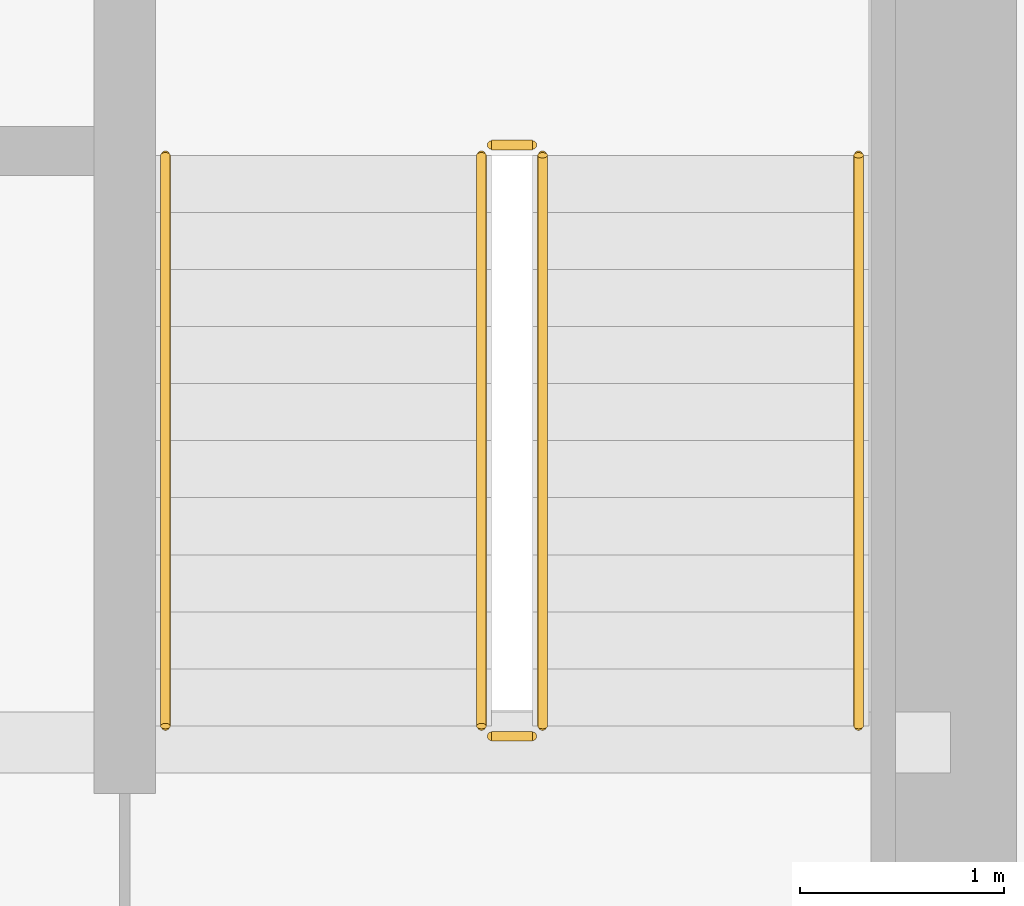
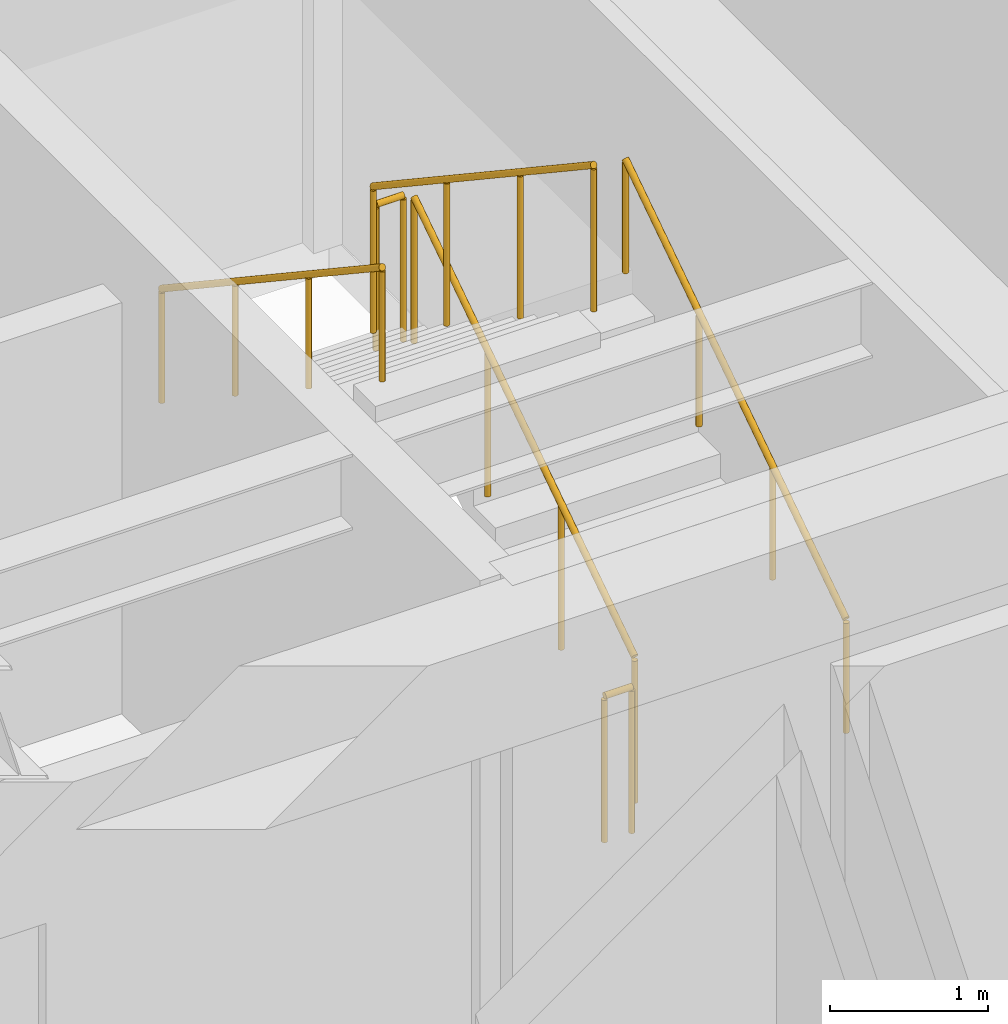
# One storey, part 31 of 31: 6 railings.
"""IFC4 building model written with IfcOpenShell, lengths in metres."""

import ifcopenshell
import ifcopenshell.guid

model = None  # the IFC model being written
_history = None  # IfcOwnerHistory: only IFC2X3 demands one
_inside = {}  # id of a spatial element -> (the spatial element, [elements in it])
_under = {}  # id of a project, library or spatial element -> (it, [spatial elements below it])
_declared = {}  # id of a project -> (the project, [libraries it declares])
_typed = {}  # id of a type object -> (the type object, [elements of that type])
_made_of = {}  # id of a material, layer set ... -> (it, [elements and type objects made of it])


def new_model(schema):
    """Start an empty IFC model of exactly this schema.

    Asked for "IFC4X3", IfcOpenShell would pick the latest addendum, in which some entities
    have other attributes; the version numbers below select the first issue.
    IFC2X3 requires an IfcOwnerHistory on every rooted entity: one is made here for all.
    """
    global model, _history
    if schema == "IFC4X3":
        model = ifcopenshell.file(schema_version=(4, 3, 0, 0))
    else:
        model = ifcopenshell.file(schema=schema)
    _inside.clear()
    _under.clear()
    _declared.clear()
    _typed.clear()
    _made_of.clear()
    _history = None
    if model.schema == "IFC2X3":
        org = make("IfcOrganization", Name="unknown")
        user = make(
            "IfcPersonAndOrganization",
            ThePerson=make("IfcPerson", FamilyName="unknown"),
            TheOrganization=org,
        )
        app = make(
            "IfcApplication",
            ApplicationDeveloper=org,
            Version="unknown",
            ApplicationFullName="unknown",
            ApplicationIdentifier="unknown",
        )
        _history = make(
            "IfcOwnerHistory",
            OwningUser=user,
            OwningApplication=app,
            ChangeAction="ADDED",
            CreationDate=0,
        )
    return model


def make(cls, **values):
    """One entity of the class cls with the attributes given. An attribute that is None is left unset."""
    return model.create_entity(
        cls, **{name: value for name, value in values.items() if value is not None}
    )


def rooted(cls, **values):
    """An entity with a GlobalId (a new one), such as an element, a storey or a relation."""
    return make(cls, GlobalId=ifcopenshell.guid.new(), OwnerHistory=_history, **values)


def si_unit(unit_type, name, prefix=None):
    """IfcSIUnit, for example si_unit("LENGTHUNIT", "METRE", prefix="MILLI")."""
    return make("IfcSIUnit", UnitType=unit_type, Prefix=prefix, Name=name)


def assignment(units):
    """IfcUnitAssignment: the units of a project."""
    return None if units is None else make("IfcUnitAssignment", Units=units)


def point(xyz):
    """IfcCartesianPoint."""
    return None if xyz is None else make("IfcCartesianPoint", Coordinates=xyz)


def direction(xyz):
    """IfcDirection."""
    return None if xyz is None else make("IfcDirection", DirectionRatios=xyz)


def frame(location, z_axis=None, x_axis=None):
    """IfcAxis2Placement3D, a coordinate frame: its origin and axes. An axis left out is left unset."""
    return make(
        "IfcAxis2Placement3D",
        Location=point(location),
        Axis=direction(z_axis),
        RefDirection=direction(x_axis),
    )


def frame_2d(location, x_axis=None):
    """IfcAxis2Placement2D, a coordinate frame in the plane: its origin and x axis."""
    return make(
        "IfcAxis2Placement2D", Location=point(location), RefDirection=direction(x_axis)
    )


def origin():
    """The frame at (0, 0, 0) with its axes left unset."""
    return frame((0.0, 0.0, 0.0))


def origin_2d():
    """The frame at (0, 0) in the plane with its x axis left unset."""
    return frame_2d((0.0, 0.0))


def place(relative_to, where):
    """IfcLocalPlacement: puts the frame where relative to a parent placement (None: the world)."""
    return make(
        "IfcLocalPlacement", PlacementRelTo=relative_to, RelativePlacement=where
    )


def context(
    kind, dimensions, precision=None, world=None, true_north=None, identifier=None
):
    """IfcGeometricRepresentationContext, for example the 3D "Model" context."""
    return make(
        "IfcGeometricRepresentationContext",
        ContextIdentifier=identifier,
        ContextType=kind,
        CoordinateSpaceDimension=dimensions,
        Precision=precision,
        WorldCoordinateSystem=world,
        TrueNorth=true_north,
    )


def subcontext(parent, identifier, kind, view, scale=None):
    """IfcGeometricRepresentationSubContext, for example "Body" below "Model"."""
    return make(
        "IfcGeometricRepresentationSubContext",
        ContextIdentifier=identifier,
        ContextType=kind,
        ParentContext=parent,
        TargetScale=scale,
        TargetView=view,
    )


def project(units=None, contexts=None):
    """IfcProject with its units and contexts."""
    return rooted(
        "IfcProject",
        Name="project",
        RepresentationContexts=contexts,
        UnitsInContext=assignment(units),
    )


def spatial(cls, under=None, at=None, **own):
    """A site, building, storey or space (cls), placed at a placement, below another one or the project."""
    s = rooted(cls, ObjectPlacement=at, **own)
    if under is not None:
        _under.setdefault(under.id(), (under, []))[1].append(s)
    return s


def profile(cls, at=None, kind="AREA", **sizes):
    """A parametric profile (cls). Its sizes go by their IFC names, for example OverallWidth=200.0."""
    return make(cls, ProfileType=kind, Position=at, **sizes)


def circle(**sizes):
    """IfcCircleProfileDef."""
    return profile("IfcCircleProfileDef", **sizes)


def extrude(swept, where, along, depth):
    """IfcExtrudedAreaSolid: the profile swept, set in the frame where, extruded along a direction by depth."""
    return make(
        "IfcExtrudedAreaSolid",
        SweptArea=swept,
        Position=where,
        ExtrudedDirection=direction(along),
        Depth=depth,
    )


def shape(context_of_items, identifier, shape_type, items):
    """IfcShapeRepresentation: the items that make up one representation, for example the "Body"."""
    return make(
        "IfcShapeRepresentation",
        ContextOfItems=context_of_items,
        RepresentationIdentifier=identifier,
        RepresentationType=shape_type,
        Items=items,
    )


def source(mapping_origin, context_of_items, identifier, shape_type, items):
    """IfcRepresentationMap: a shape defined once, which mapped items show again and again."""
    return make(
        "IfcRepresentationMap",
        MappingOrigin=mapping_origin,
        MappedRepresentation=shape(context_of_items, identifier, shape_type, items),
    )


def transform(
    local_origin,
    x_axis=None,
    y_axis=None,
    z_axis=None,
    scale=None,
    scale2=None,
    scale3=None,
    uniform=True,
):
    """IfcCartesianTransformationOperator3D, or its non-uniform kind. x_axis, y_axis, z_axis: its Axis1, 2, 3."""
    if uniform:
        return make(
            "IfcCartesianTransformationOperator3D",
            Axis1=direction(x_axis),
            Axis2=direction(y_axis),
            LocalOrigin=point(local_origin),
            Scale=scale,
            Axis3=direction(z_axis),
        )
    return make(
        "IfcCartesianTransformationOperator3DnonUniform",
        Axis1=direction(x_axis),
        Axis2=direction(y_axis),
        LocalOrigin=point(local_origin),
        Scale=scale,
        Axis3=direction(z_axis),
        Scale2=scale2,
        Scale3=scale3,
    )


def mapped(mapping_source, mapping_target):
    """IfcMappedItem: shows the shape of a source again, moved by a transform."""
    return make(
        "IfcMappedItem", MappingSource=mapping_source, MappingTarget=mapping_target
    )


def material(Name=None, Category=None):
    """IfcMaterial."""
    return make("IfcMaterial", Name=Name, Category=Category)


def made_of(thing, what):
    """Note that an element or type object is made of a material, layer set ...; save() writes the relation."""
    if what is not None:
        _made_of.setdefault(what.id(), (what, []))[1].append(thing)
    return thing


def type_object(cls, material=None, **own):
    """A type object (cls), such as IfcWallType, which elements share."""
    return made_of(rooted(cls, **own), material)


def type_shapes(of_type, sources):
    """Give a type object the sources (RepresentationMaps) that its elements show as mapped items."""
    of_type.RepresentationMaps = sources


def element(
    cls,
    number,
    at=None,
    inside=None,
    cuts=None,
    type_object=None,
    material=None,
    context=None,
    identifier="Body",
    shape_type=None,
    held_by="IfcProductDefinitionShape",
    body=None,
    shapes=None,
    **own,
):
    """One element of the class cls, such as IfcWall. Its Tag is "e" and its number.

    at: its placement. inside: the storey or other place that contains it. cuts: it is an
    opening in that element (IfcRelVoidsElement). A single representation is given by context,
    identifier, shape_type and body (its items); several are given by shapes. held_by: the class
    of the entity that holds the representations. save() writes the other relations.
    """
    e = rooted(cls, Tag="e%d" % number, ObjectPlacement=at, **own)
    if body is not None:
        shapes = [shape(context, identifier, shape_type, body)]
    if shapes is not None:
        e.Representation = make(held_by, Representations=shapes)
    if inside is not None:
        _inside.setdefault(inside.id(), (inside, []))[1].append(e)
    if cuts is not None:
        rooted(
            "IfcRelVoidsElement", RelatingBuildingElement=cuts, RelatedOpeningElement=e
        )
    if type_object is not None:
        _typed.setdefault(type_object.id(), (type_object, []))[1].append(e)
    return made_of(e, material)


def aggregate(whole, parts):
    """IfcRelAggregates: a whole, such as a stair, and the parts it consists of."""
    return rooted("IfcRelAggregates", RelatingObject=whole, RelatedObjects=parts)


def save(model, path):
    """Write the relations noted so far, then the file.

    IfcRelAggregates (storeys below a building ...), IfcRelContainedInSpatialStructure (elements
    in a storey), IfcRelDefinesByType, IfcRelAssociatesMaterial and IfcRelDeclares: one each for
    every whole, place, type object, material and project.
    """
    for whole, parts in _under.values():
        aggregate(whole, parts)
    for where, things in _inside.values():
        rooted(
            "IfcRelContainedInSpatialStructure",
            RelatedElements=things,
            RelatingStructure=where,
        )
    for kind, things in _typed.values():
        rooted("IfcRelDefinesByType", RelatedObjects=things, RelatingType=kind)
    for what, things in _made_of.values():
        rooted("IfcRelAssociatesMaterial", RelatedObjects=things, RelatingMaterial=what)
    for by, libraries in _declared.values():
        rooted("IfcRelDeclares", RelatingContext=by, RelatedDefinitions=libraries)
    model.write(path)


model = new_model("IFC4")

# Units and contexts
model_context = context("Model", 3, precision=1e-05, world=origin(), true_north=direction((0.0, 1.0)))
body_context = subcontext(model_context, "Body", "Model", "MODEL_VIEW")
ifc_project = project(units=[si_unit("LENGTHUNIT", "METRE"), si_unit("AREAUNIT", "SQUARE_METRE"), si_unit("VOLUMEUNIT", "CUBIC_METRE"), si_unit("PLANEANGLEUNIT", "RADIAN"), si_unit("MASSUNIT", "GRAM", prefix="KILO")], contexts=[model_context])

# Site, building, storey
site_placement = place(None, origin())
site = spatial("IfcSite", under=ifc_project, at=site_placement, CompositionType="ELEMENT")
building_placement = place(site_placement, origin())
building = spatial("IfcBuilding", under=site, at=building_placement, Name="Haelvirn Gate Laboratories", CompositionType="ELEMENT")
storey_placement = place(building_placement, frame((0.0, 0.0, 174.800048828125)))
storey = spatial("IfcBuildingStorey", under=building, at=storey_placement, Name="L42", CompositionType="ELEMENT", Elevation=174.800048828125)

# Railings
ifc_material_1 = material(Name="Galvanised steel SM355 & stainless top rail", Category="steel")
railing_type_1 = type_object("IfcRailingType", Name="RL-GUARD-1150", PredefinedType="GUARDRAIL", material=ifc_material_1)
shared_shape_1 = source(origin(), body_context, "Body", "SweptSolid", [
    extrude(circle(Radius=0.02392578125, at=origin_2d()), frame((0.0, 0.0, 1.1259765625), z_axis=(0.0, 0.832452072856, 0.554097055034), x_axis=(-1.0, 0.0, 0.0)), (0.0, 0.0, 1.0), 3.363525390625),
    extrude(circle(Radius=0.02099609375, at=origin_2d()), origin(), (0.0, 0.0, 1.0), 1.101806640625),
    extrude(circle(Radius=0.02099609375, at=origin_2d()), frame((0.0, 0.933349609375, 0.621337890625)), (0.0, 0.0, 1.0), 1.101806640625),
    extrude(circle(Radius=0.02099609375, at=origin_2d()), frame((0.0, 1.86669921875, 1.242431640625)), (0.0, 0.0, 1.0), 1.101806640625),
    extrude(circle(Radius=0.02099609375, at=origin_2d()), frame((0.0, 2.800048828125, 1.86376953125)), (0.0, 0.0, 1.0), 1.101806640625),
])
railing_1_placement = place(storey_placement, frame((65.39990234375, 26.699951171875, 0.186279296875)))
element("IfcRailing", 1, at=railing_1_placement, inside=storey, type_object=railing_type_1, Name="L42 ST2 stair guard 1", PredefinedType="GUARDRAIL", context=body_context, shape_type="MappedRepresentation", body=[
    mapped(shared_shape_1, transform((0.0, 0.0, 0.0), scale=1.0)),
])
shared_shape_2 = source(origin(), body_context, "Body", "SweptSolid", [
    extrude(circle(Radius=0.02392578125, at=origin_2d()), frame((0.0, 0.0, 1.1259765625), z_axis=(0.0, -0.832485552168, 0.554046753832), x_axis=(1.0, 0.0, 0.0)), (0.0, 0.0, 1.0), 3.363525390625),
    extrude(circle(Radius=0.02099609375, at=origin_2d()), origin(), (0.0, 0.0, 1.0), 1.101806640625),
    extrude(circle(Radius=0.02099609375, at=origin_2d()), frame((0.0, -0.933349609375, 0.62109375)), (0.0, 0.0, 1.0), 1.101806640625),
    extrude(circle(Radius=0.02099609375, at=origin_2d()), frame((0.0, -1.86669921875, 1.242431640625)), (0.0, 0.0, 1.0), 1.101806640625),
    extrude(circle(Radius=0.02099609375, at=origin_2d()), frame((0.0, -2.800048828125, 1.863525390625)), (0.0, 0.0, 1.0), 1.101806640625),
])
railing_2_placement = place(storey_placement, frame((65.10009765625, 29.5, 2.236328125)))
element("IfcRailing", 2, at=railing_2_placement, inside=storey, type_object=railing_type_1, Name="L42 ST2 stair guard 3", PredefinedType="GUARDRAIL", context=body_context, shape_type="MappedRepresentation", body=[
    mapped(shared_shape_2, transform((0.0, 0.0, 0.0), scale=1.0)),
])
ifc_material_2 = material(Name="Brushed stainless steel 316L", Category="steel")
railing_type_2 = type_object("IfcRailingType", Name="RL-HAND-920", PredefinedType="HANDRAIL", material=ifc_material_2)
shared_shape_3 = source(origin(), body_context, "Body", "SweptSolid", [
    extrude(circle(Radius=0.02392578125, at=origin_2d()), frame((0.0, 0.0, 0.8759765625), z_axis=(0.0, 0.832452072856, 0.554097055034), x_axis=(-1.0, 0.0, 0.0)), (0.0, 0.0, 1.0), 3.363525390625),
    extrude(circle(Radius=0.02099609375, at=origin_2d()), origin(), (0.0, 0.0, 1.0), 0.851806640625),
    extrude(circle(Radius=0.02099609375, at=origin_2d()), frame((0.0, 0.933349609375, 0.621337890625)), (0.0, 0.0, 1.0), 0.851806640625),
    extrude(circle(Radius=0.02099609375, at=origin_2d()), frame((0.0, 1.86669921875, 1.242431640625)), (0.0, 0.0, 1.0), 0.851806640625),
    extrude(circle(Radius=0.02099609375, at=origin_2d()), frame((0.0, 2.800048828125, 1.86376953125)), (0.0, 0.0, 1.0), 0.851806640625),
])
railing_3_placement = place(storey_placement, frame((66.949951171875, 26.699951171875, 0.186279296875)))
element("IfcRailing", 3, at=railing_3_placement, inside=storey, type_object=railing_type_2, Name="L42 ST2 stair handrail 1", PredefinedType="HANDRAIL", context=body_context, shape_type="MappedRepresentation", body=[
    mapped(shared_shape_3, transform((0.0, 0.0, 0.0), scale=1.0)),
])
shared_shape_4 = source(origin(), body_context, "Body", "SweptSolid", [
    extrude(circle(Radius=0.02392578125, at=origin_2d()), frame((0.0, 0.0, 0.8759765625), z_axis=(0.0, -0.832485552168, 0.554046753832), x_axis=(1.0, 0.0, 0.0)), (0.0, 0.0, 1.0), 3.363525390625),
    extrude(circle(Radius=0.02099609375, at=origin_2d()), origin(), (0.0, 0.0, 1.0), 0.851806640625),
    extrude(circle(Radius=0.02099609375, at=origin_2d()), frame((0.0, -0.933349609375, 0.62109375)), (0.0, 0.0, 1.0), 0.851806640625),
    extrude(circle(Radius=0.02099609375, at=origin_2d()), frame((0.0, -1.86669921875, 1.242431640625)), (0.0, 0.0, 1.0), 0.851806640625),
    extrude(circle(Radius=0.02099609375, at=origin_2d()), frame((0.0, -2.800048828125, 1.863525390625)), (0.0, 0.0, 1.0), 0.851806640625),
])
type_shapes(railing_type_2, [shared_shape_3, shared_shape_4])
railing_4_placement = place(storey_placement, frame((63.550048828125, 29.5, 2.236328125)))
element("IfcRailing", 4, at=railing_4_placement, inside=storey, type_object=railing_type_2, Name="L42 ST2 stair handrail 2", PredefinedType="HANDRAIL", context=body_context, shape_type="MappedRepresentation", body=[
    mapped(shared_shape_4, transform((0.0, 0.0, 0.0), scale=1.0)),
])
shared_shape_5 = source(origin(), body_context, "Body", "SweptSolid", [
    extrude(circle(Radius=0.02392578125, at=origin_2d()), frame((0.0, 0.0, 1.1259765625), z_axis=(-1.0, 0.0, 0.0), x_axis=(0.0, -1.0, 0.0)), (0.0, 0.0, 1.0), 0.2001953125),
    extrude(circle(Radius=0.02099609375, at=origin_2d()), origin(), (0.0, 0.0, 1.0), 1.101806640625),
    extrude(circle(Radius=0.02099609375, at=origin_2d()), frame((-0.2001953125, 0.0, 0.0)), (0.0, 0.0, 1.0), 1.101806640625),
])
type_shapes(railing_type_1, [shared_shape_1, shared_shape_2, shared_shape_5])
for number, where, name in (
    (5, (65.35009765625, 29.550048828125, 2.050048828125), "L42 ST2 stair guard 2"),
    (6, (65.35009765625, 26.64990234375, 0.0), "L42 ST2 stair guard 4"),
):
    element("IfcRailing", number, at=place(storey_placement, frame(where)), inside=storey, type_object=railing_type_1, Name=name, PredefinedType="GUARDRAIL", context=body_context, shape_type="MappedRepresentation", body=[
        mapped(shared_shape_5, transform((0.0, 0.0, 0.0), scale=1.0)),
    ])

save(model, "model.ifc")
